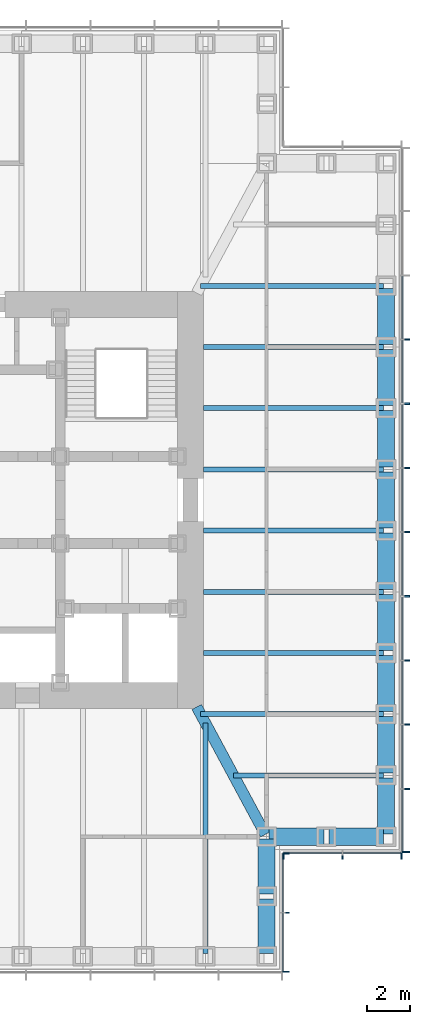
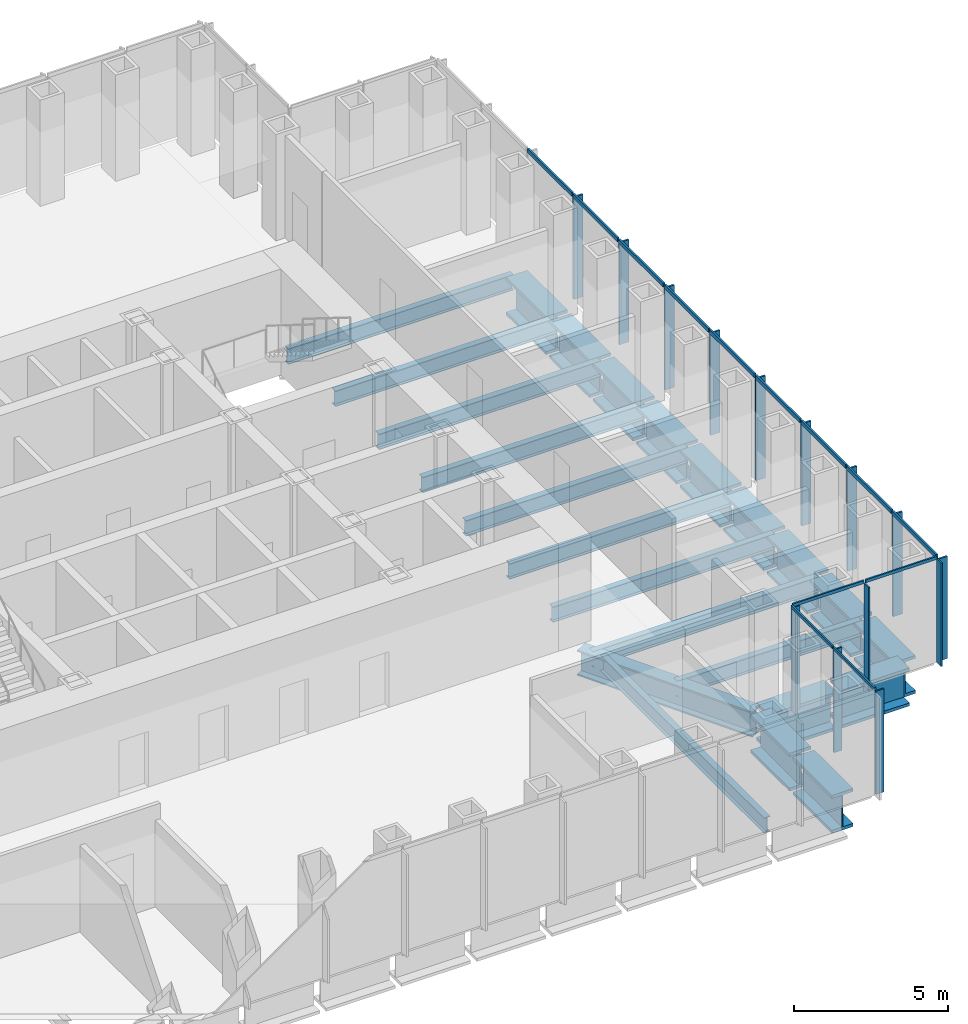
# One storey, part 4 of 16: 28 members, 24 beams, 3 elements without a shape of their own.
"""IFC4 building model written with IfcOpenShell, lengths in metres."""

from ifc_helpers import new_model, si_unit, direction, frame, origin, origin_2d, place, context, subcontext, project, spatial, rectangle, i_section, extrude, material, material_profile, profile_set, type_object, element, aggregate, save


model = new_model("IFC4")

# Units and contexts
model_context = context("Model", 3, precision=1e-05, world=origin(), true_north=direction((0.0, 1.0)))
body_context = subcontext(model_context, "Body", "Model", "MODEL_VIEW")
ifc_project = project(units=[si_unit("LENGTHUNIT", "METRE"), si_unit("AREAUNIT", "SQUARE_METRE"), si_unit("VOLUMEUNIT", "CUBIC_METRE"), si_unit("PLANEANGLEUNIT", "RADIAN"), si_unit("MASSUNIT", "GRAM", prefix="KILO")], contexts=[model_context])

# Site, building, storey
site_placement = place(None, origin())
site = spatial("IfcSite", under=ifc_project, at=site_placement, CompositionType="ELEMENT")
building_placement = place(site_placement, origin())
building = spatial("IfcBuilding", under=site, at=building_placement, Name="Daluyong Arena Tower", CompositionType="ELEMENT")
storey_placement = place(building_placement, frame((0.0, 0.0, 202.300048828125)))
storey = spatial("IfcBuildingStorey", under=building, at=storey_placement, Name="L45", CompositionType="ELEMENT", Elevation=202.300048828125)

# Curtain wall, members
ifc_material_1 = material(Name="Bronze anodised aluminium and glass", Category="aluminium")
curtain_wall_type_1 = type_object("IfcCurtainWallType", Name="Curtain wall CW3", PredefinedType="USERDEFINED", material=ifc_material_1)
curtain_wall_1_placement = place(storey_placement, origin())
curtain_wall_1 = element("IfcCurtainWall", 1, at=curtain_wall_1_placement, inside=storey, type_object=curtain_wall_type_1, Name="curtain wall L45 E", ObjectType="UNITISED CURTAIN WALL", PredefinedType="USERDEFINED")
ifc_material_2 = material(Name="Bronze anodised aluminium fin", Category="aluminium")
ifc_material_profile_1 = material_profile(ifc_material_2, rectangle(XDim=0.35009765625, YDim=0.070068359375, at=origin_2d()))
ifc_profile_set_1 = profile_set([ifc_material_profile_1], Name="Bronze anodised aluminium fin")
member_type_1 = type_object("IfcMemberType", Name="CW3 bronze fin 350x70", PredefinedType="MULLION", material=ifc_profile_set_1)
member_1_placement = place(storey_placement, frame((77.925048828125, 63.784912109375, 0.0), z_axis=(0.0, 0.0, 1.0), x_axis=(-1.0, 0.0, 0.0)))
member_1 = element("IfcMember", 2, at=member_1_placement, type_object=member_type_1, Name="curtain wall L45 E fin 1", PredefinedType="MULLION", context=body_context, shape_type="SweptSolid", body=[
    extrude(rectangle(XDim=0.35009765625, YDim=0.070068359375, at=origin_2d()), origin(), (0.0, 0.0, 1.0), 4.0400390625),
])
member_2_placement = place(storey_placement, frame((77.925048828125, 66.70458984375, 0.0), z_axis=(0.0, 0.0, 1.0), x_axis=(-1.0, 0.0, 0.0)))
member_2 = element("IfcMember", 3, at=member_2_placement, type_object=member_type_1, Name="curtain wall L45 E fin 2", PredefinedType="MULLION", context=body_context, shape_type="SweptSolid", body=[
    extrude(rectangle(XDim=0.35009765625, YDim=0.070068359375, at=origin_2d()), origin(), (0.0, 0.0, 1.0), 4.0400390625),
])
member_3_placement = place(storey_placement, frame((77.925048828125, 69.6591796875, 0.0), z_axis=(0.0, 0.0, 1.0), x_axis=(-1.0, 0.0, 0.0)))
member_3 = element("IfcMember", 4, at=member_3_placement, type_object=member_type_1, Name="curtain wall L45 E fin 3", PredefinedType="MULLION", context=body_context, shape_type="SweptSolid", body=[
    extrude(rectangle(XDim=0.35009765625, YDim=0.070068359375, at=origin_2d()), origin(), (0.0, 0.0, 1.0), 4.0400390625),
])
member_4_placement = place(storey_placement, frame((77.925048828125, 72.613525390625, 0.0), z_axis=(0.0, 0.0, 1.0), x_axis=(-1.0, 0.0, 0.0)))
member_4 = element("IfcMember", 5, at=member_4_placement, type_object=member_type_1, Name="curtain wall L45 E fin 4", PredefinedType="MULLION", context=body_context, shape_type="SweptSolid", body=[
    extrude(rectangle(XDim=0.35009765625, YDim=0.070068359375, at=origin_2d()), origin(), (0.0, 0.0, 1.0), 4.0400390625),
])
member_5_placement = place(storey_placement, frame((77.925048828125, 75.568115234375, 0.0), z_axis=(0.0, 0.0, 1.0), x_axis=(-1.0, 0.0, 0.0)))
member_5 = element("IfcMember", 6, at=member_5_placement, type_object=member_type_1, Name="curtain wall L45 E fin 5", PredefinedType="MULLION", context=body_context, shape_type="SweptSolid", body=[
    extrude(rectangle(XDim=0.35009765625, YDim=0.070068359375, at=origin_2d()), origin(), (0.0, 0.0, 1.0), 4.0400390625),
])
member_6_placement = place(storey_placement, frame((77.925048828125, 78.522705078125, 0.0), z_axis=(0.0, 0.0, 1.0), x_axis=(-1.0, 0.0, 0.0)))
member_6 = element("IfcMember", 7, at=member_6_placement, type_object=member_type_1, Name="curtain wall L45 E fin 6", PredefinedType="MULLION", context=body_context, shape_type="SweptSolid", body=[
    extrude(rectangle(XDim=0.35009765625, YDim=0.070068359375, at=origin_2d()), origin(), (0.0, 0.0, 1.0), 4.0400390625),
])
member_7_placement = place(storey_placement, frame((77.925048828125, 81.477294921875, 0.0), z_axis=(0.0, 0.0, 1.0), x_axis=(-1.0, 0.0, 0.0)))
member_7 = element("IfcMember", 8, at=member_7_placement, type_object=member_type_1, Name="curtain wall L45 E fin 7", PredefinedType="MULLION", context=body_context, shape_type="SweptSolid", body=[
    extrude(rectangle(XDim=0.35009765625, YDim=0.070068359375, at=origin_2d()), origin(), (0.0, 0.0, 1.0), 4.0400390625),
])
member_8_placement = place(storey_placement, frame((77.925048828125, 84.431884765625, 0.0), z_axis=(0.0, 0.0, 1.0), x_axis=(-1.0, 0.0, 0.0)))
member_8 = element("IfcMember", 9, at=member_8_placement, type_object=member_type_1, Name="curtain wall L45 E fin 8", PredefinedType="MULLION", context=body_context, shape_type="SweptSolid", body=[
    extrude(rectangle(XDim=0.35009765625, YDim=0.070068359375, at=origin_2d()), origin(), (0.0, 0.0, 1.0), 4.0400390625),
])
member_9_placement = place(storey_placement, frame((77.925048828125, 87.386474609375, 0.0), z_axis=(0.0, 0.0, 1.0), x_axis=(-1.0, 0.0, 0.0)))
member_9 = element("IfcMember", 10, at=member_9_placement, type_object=member_type_1, Name="curtain wall L45 E fin 9", PredefinedType="MULLION", context=body_context, shape_type="SweptSolid", body=[
    extrude(rectangle(XDim=0.35009765625, YDim=0.070068359375, at=origin_2d()), origin(), (0.0, 0.0, 1.0), 4.0400390625),
])
ifc_material_3 = material(Name="Bronze anodised aluminium", Category="aluminium")
ifc_material_profile_2 = material_profile(ifc_material_3, rectangle(XDim=0.070068359375, YDim=0.159912109375, at=origin_2d()))
ifc_profile_set_2 = profile_set([ifc_material_profile_2], Name="Bronze anodised aluminium")
member_type_2 = type_object("IfcMemberType", Name="CW3 stack transom 160x70", PredefinedType="USERDEFINED", material=ifc_profile_set_2)
member_10_placement = place(storey_placement, frame((77.75, 63.820068359375, 4.119873046875), z_axis=(0.0, 1.0, 0.0), x_axis=(-1.0, 0.0, 0.0)))
member_10 = element("IfcMember", 11, at=member_10_placement, type_object=member_type_2, Name="curtain wall L45 E transom 1", ObjectType="TRANSOM", PredefinedType="USERDEFINED", context=body_context, shape_type="SweptSolid", body=[
    extrude(rectangle(XDim=0.070068359375, YDim=0.159912109375, at=origin_2d()), origin(), (0.0, 0.0, 1.0), 2.849365234375),
])
member_11_placement = place(storey_placement, frame((77.75, 66.739501953125, 4.119873046875), z_axis=(0.0, 1.0, 0.0), x_axis=(-1.0, 0.0, 0.0)))
member_11 = element("IfcMember", 12, at=member_11_placement, type_object=member_type_2, Name="curtain wall L45 E transom 2", ObjectType="TRANSOM", PredefinedType="USERDEFINED", context=body_context, shape_type="SweptSolid", body=[
    extrude(rectangle(XDim=0.070068359375, YDim=0.159912109375, at=origin_2d()), origin(), (0.0, 0.0, 1.0), 2.884521484375),
])
member_12_placement = place(storey_placement, frame((77.75, 69.694091796875, 4.119873046875), z_axis=(0.0, 1.0, 0.0), x_axis=(-1.0, 0.0, 0.0)))
member_12 = element("IfcMember", 13, at=member_12_placement, type_object=member_type_2, Name="curtain wall L45 E transom 3", ObjectType="TRANSOM", PredefinedType="USERDEFINED", context=body_context, shape_type="SweptSolid", body=[
    extrude(rectangle(XDim=0.070068359375, YDim=0.159912109375, at=origin_2d()), origin(), (0.0, 0.0, 1.0), 2.884521484375),
])
member_13_placement = place(storey_placement, frame((77.75, 72.648681640625, 4.119873046875), z_axis=(0.0, 1.0, 0.0), x_axis=(-1.0, 0.0, 0.0)))
member_13 = element("IfcMember", 14, at=member_13_placement, type_object=member_type_2, Name="curtain wall L45 E transom 4", ObjectType="TRANSOM", PredefinedType="USERDEFINED", context=body_context, shape_type="SweptSolid", body=[
    extrude(rectangle(XDim=0.070068359375, YDim=0.159912109375, at=origin_2d()), origin(), (0.0, 0.0, 1.0), 2.884521484375),
])
member_14_placement = place(storey_placement, frame((77.75, 75.603271484375, 4.119873046875), z_axis=(0.0, 1.0, 0.0), x_axis=(-1.0, 0.0, 0.0)))
member_14 = element("IfcMember", 15, at=member_14_placement, type_object=member_type_2, Name="curtain wall L45 E transom 5", ObjectType="TRANSOM", PredefinedType="USERDEFINED", context=body_context, shape_type="SweptSolid", body=[
    extrude(rectangle(XDim=0.070068359375, YDim=0.159912109375, at=origin_2d()), origin(), (0.0, 0.0, 1.0), 2.884521484375),
])
member_15_placement = place(storey_placement, frame((77.75, 78.5576171875, 4.119873046875), z_axis=(0.0, 1.0, 0.0), x_axis=(-1.0, 0.0, 0.0)))
member_15 = element("IfcMember", 16, at=member_15_placement, type_object=member_type_2, Name="curtain wall L45 E transom 6", ObjectType="TRANSOM", PredefinedType="USERDEFINED", context=body_context, shape_type="SweptSolid", body=[
    extrude(rectangle(XDim=0.070068359375, YDim=0.159912109375, at=origin_2d()), origin(), (0.0, 0.0, 1.0), 2.884765625),
])
member_16_placement = place(storey_placement, frame((77.75, 81.51220703125, 4.119873046875), z_axis=(0.0, 1.0, 0.0), x_axis=(-1.0, 0.0, 0.0)))
member_16 = element("IfcMember", 17, at=member_16_placement, type_object=member_type_2, Name="curtain wall L45 E transom 7", ObjectType="TRANSOM", PredefinedType="USERDEFINED", context=body_context, shape_type="SweptSolid", body=[
    extrude(rectangle(XDim=0.070068359375, YDim=0.159912109375, at=origin_2d()), origin(), (0.0, 0.0, 1.0), 2.884521484375),
])
member_17_placement = place(storey_placement, frame((77.75, 84.466796875, 4.119873046875), z_axis=(0.0, 1.0, 0.0), x_axis=(-1.0, 0.0, 0.0)))
member_17 = element("IfcMember", 18, at=member_17_placement, type_object=member_type_2, Name="curtain wall L45 E transom 8", ObjectType="TRANSOM", PredefinedType="USERDEFINED", context=body_context, shape_type="SweptSolid", body=[
    extrude(rectangle(XDim=0.070068359375, YDim=0.159912109375, at=origin_2d()), origin(), (0.0, 0.0, 1.0), 2.884521484375),
])
member_18_placement = place(storey_placement, frame((77.75, 87.42138671875, 4.119873046875), z_axis=(0.0, 1.0, 0.0), x_axis=(-1.0, 0.0, 0.0)))
member_18 = element("IfcMember", 19, at=member_18_placement, type_object=member_type_2, Name="curtain wall L45 E transom 9", ObjectType="TRANSOM", PredefinedType="USERDEFINED", context=body_context, shape_type="SweptSolid", body=[
    extrude(rectangle(XDim=0.070068359375, YDim=0.159912109375, at=origin_2d()), origin(), (0.0, 0.0, 1.0), 2.884521484375),
])
aggregate(curtain_wall_1, [member_1, member_2, member_3, member_4, member_5, member_6, member_7, member_8, member_9, member_10, member_11, member_12, member_13, member_14, member_15, member_16, member_17, member_18])

ifc_material_4 = material(Name="Bronze anodised aluminium and glass", Category="aluminium")
curtain_wall_type_2 = type_object("IfcCurtainWallType", Name="Curtain wall CW7", PredefinedType="USERDEFINED", material=ifc_material_4)
curtain_wall_2_placement = place(storey_placement, origin())
curtain_wall_2 = element("IfcCurtainWall", 20, at=curtain_wall_2_placement, inside=storey, type_object=curtain_wall_type_2, Name="curtain wall L45 SE-E", ObjectType="UNITISED CURTAIN WALL", PredefinedType="USERDEFINED")
ifc_material_5 = material(Name="Bronze anodised aluminium fin", Category="aluminium")
ifc_material_profile_3 = material_profile(ifc_material_5, rectangle(XDim=0.300048828125, YDim=0.06005859375, at=origin_2d()))
ifc_profile_set_3 = profile_set([ifc_material_profile_3], Name="Bronze anodised aluminium fin")
member_type_3 = type_object("IfcMemberType", Name="CW7 bronze fin 300x60", PredefinedType="MULLION", material=ifc_profile_set_3)
member_19_placement = place(storey_placement, frame((72.39990234375, 58.280029296875, 0.0), z_axis=(0.0, 0.0, 1.0), x_axis=(-1.0, 0.0, 0.0)))
member_19 = element("IfcMember", 21, at=member_19_placement, type_object=member_type_3, Name="curtain wall L45 SE-E fin 1", PredefinedType="MULLION", context=body_context, shape_type="SweptSolid", body=[
    extrude(rectangle(XDim=0.300048828125, YDim=0.06005859375, at=origin_2d()), origin(), (0.0, 0.0, 1.0), 4.079833984375),
])
member_20_placement = place(storey_placement, frame((72.39990234375, 61.0, 0.0), z_axis=(0.0, 0.0, 1.0), x_axis=(-1.0, 0.0, 0.0)))
member_20 = element("IfcMember", 22, at=member_20_placement, type_object=member_type_3, Name="curtain wall L45 SE-E fin 2", PredefinedType="MULLION", context=body_context, shape_type="SweptSolid", body=[
    extrude(rectangle(XDim=0.300048828125, YDim=0.06005859375, at=origin_2d()), origin(), (0.0, 0.0, 1.0), 4.079833984375),
])
member_21_placement = place(storey_placement, frame((72.39990234375, 63.719970703125, 0.0), z_axis=(0.0, 0.0, 1.0), x_axis=(-1.0, 0.0, 0.0)))
member_21 = element("IfcMember", 23, at=member_21_placement, type_object=member_type_3, Name="curtain wall L45 SE-E fin 3", PredefinedType="MULLION", context=body_context, shape_type="SweptSolid", body=[
    extrude(rectangle(XDim=0.300048828125, YDim=0.06005859375, at=origin_2d()), origin(), (0.0, 0.0, 1.0), 4.079833984375),
])

curtain_wall_3_placement = place(storey_placement, origin())
curtain_wall_3 = element("IfcCurtainWall", 24, at=curtain_wall_3_placement, inside=storey, type_object=curtain_wall_type_2, Name="curtain wall L45 SE-S", ObjectType="UNITISED CURTAIN WALL", PredefinedType="USERDEFINED")
member_22_placement = place(storey_placement, frame((72.280029296875, 63.60009765625, 0.0), z_axis=(0.0, 0.0, 1.0), x_axis=(0.0, 1.0, 0.0)))
member_22 = element("IfcMember", 25, at=member_22_placement, type_object=member_type_3, Name="curtain wall L45 SE-S fin 1", PredefinedType="MULLION", context=body_context, shape_type="SweptSolid", body=[
    extrude(rectangle(XDim=0.300048828125, YDim=0.06005859375, at=origin_2d()), origin(), (0.0, 0.0, 1.0), 4.079833984375),
])
member_23_placement = place(storey_placement, frame((75.0, 63.60009765625, 0.0), z_axis=(0.0, 0.0, 1.0), x_axis=(0.0, 1.0, 0.0)))
member_23 = element("IfcMember", 26, at=member_23_placement, type_object=member_type_3, Name="curtain wall L45 SE-S fin 2", PredefinedType="MULLION", context=body_context, shape_type="SweptSolid", body=[
    extrude(rectangle(XDim=0.300048828125, YDim=0.06005859375, at=origin_2d()), origin(), (0.0, 0.0, 1.0), 4.079833984375),
])
member_24_placement = place(storey_placement, frame((77.719970703125, 63.60009765625, 0.0), z_axis=(0.0, 0.0, 1.0), x_axis=(0.0, 1.0, 0.0)))
member_24 = element("IfcMember", 27, at=member_24_placement, type_object=member_type_3, Name="curtain wall L45 SE-S fin 3", PredefinedType="MULLION", context=body_context, shape_type="SweptSolid", body=[
    extrude(rectangle(XDim=0.300048828125, YDim=0.06005859375, at=origin_2d()), origin(), (0.0, 0.0, 1.0), 4.079833984375),
])

# Member
ifc_material_6 = material(Name="Bronze anodised aluminium", Category="aluminium")
ifc_material_profile_4 = material_profile(ifc_material_6, rectangle(XDim=0.06005859375, YDim=0.1201171875, at=origin_2d()))
ifc_profile_set_4 = profile_set([ifc_material_profile_4], Name="Bronze anodised aluminium")
member_type_4 = type_object("IfcMemberType", Name="CW7 stack transom 120x60", PredefinedType="USERDEFINED", material=ifc_profile_set_4)
member_25_placement = place(storey_placement, frame((72.25, 58.31005859375, 4.139892578125), z_axis=(0.0, 1.0, 0.0), x_axis=(-1.0, 0.0, 0.0)))
member_25 = element("IfcMember", 28, at=member_25_placement, type_object=member_type_4, Name="curtain wall L45 SE-E transom 1", ObjectType="TRANSOM", PredefinedType="USERDEFINED", context=body_context, shape_type="SweptSolid", body=[
    extrude(rectangle(XDim=0.06005859375, YDim=0.1201171875, at=origin_2d()), origin(), (0.0, 0.0, 1.0), 2.659912109375),
])

member_26_placement = place(storey_placement, frame((72.25, 61.030029296875, 4.139892578125), z_axis=(0.0, 1.0, 0.0), x_axis=(-1.0, 0.0, 0.0)))
member_26 = element("IfcMember", 29, at=member_26_placement, type_object=member_type_4, Name="curtain wall L45 SE-E transom 2", ObjectType="TRANSOM", PredefinedType="USERDEFINED", context=body_context, shape_type="SweptSolid", body=[
    extrude(rectangle(XDim=0.06005859375, YDim=0.1201171875, at=origin_2d()), origin(), (0.0, 0.0, 1.0), 2.659912109375),
])

aggregate(curtain_wall_2, [member_19, member_20, member_21, member_25, member_26])

member_27_placement = place(storey_placement, frame((72.31005859375, 63.75, 4.139892578125), z_axis=(1.0, 0.0, 0.0), x_axis=(0.0, 1.0, 0.0)))
member_27 = element("IfcMember", 30, at=member_27_placement, type_object=member_type_4, Name="curtain wall L45 SE-S transom 1", ObjectType="TRANSOM", PredefinedType="USERDEFINED", context=body_context, shape_type="SweptSolid", body=[
    extrude(rectangle(XDim=0.06005859375, YDim=0.1201171875, at=origin_2d()), origin(), (0.0, 0.0, 1.0), 2.659912109375),
])

member_28_placement = place(storey_placement, frame((75.030029296875, 63.75, 4.139892578125), z_axis=(1.0, 0.0, 0.0), x_axis=(0.0, 1.0, 0.0)))
member_28 = element("IfcMember", 31, at=member_28_placement, type_object=member_type_4, Name="curtain wall L45 SE-S transom 2", ObjectType="TRANSOM", PredefinedType="USERDEFINED", context=body_context, shape_type="SweptSolid", body=[
    extrude(rectangle(XDim=0.06005859375, YDim=0.1201171875, at=origin_2d()), origin(), (0.0, 0.0, 1.0), 2.659912109375),
])

aggregate(curtain_wall_3, [member_22, member_23, member_24, member_27, member_28])

# Beams
ifc_material_7 = material(Name="Steel ASTM A572 Grade 50", Category="steel")
ifc_material_profile_5 = material_profile(ifc_material_7, i_section(OverallWidth=0.5, OverallDepth=1.0, WebThickness=0.03, FlangeThickness=0.06, at=origin_2d()))
ifc_profile_set_5 = profile_set([ifc_material_profile_5], Name="Steel ASTM A572 Grade 50")
beam_type_1 = type_object("IfcBeamType", Name="Corner girder TB1000X500", PredefinedType="BEAM", material=ifc_profile_set_5)
beam_1_placement = place(storey_placement, frame((71.445556640625, 64.601318359375, -0.66015625), z_axis=(-0.474119475266, 0.880460517669, 0.0), x_axis=(-0.880460517669, -0.474119475266, 0.0)))
element("IfcBeam", 32, at=beam_1_placement, inside=storey, type_object=beam_type_1, Name="corner girder DG2", PredefinedType="BEAM", context=body_context, shape_type="SweptSolid", body=[
    extrude(i_section(OverallWidth=0.5, OverallDepth=1.0, WebThickness=0.03, FlangeThickness=0.06, at=origin_2d()), origin(), (0.0, 0.0, 1.0), 6.66748046875),
])
ifc_material_8 = material(Name="Steel ASTM A992 Grade 50", Category="steel")
ifc_material_profile_6 = material_profile(ifc_material_8, i_section(OverallWidth=0.22900390625, OverallDepth=0.612060546875, WebThickness=0.011962890625, FlangeThickness=0.01953125, at=origin_2d()))
ifc_profile_set_6 = profile_set([ifc_material_profile_6], Name="Steel ASTM A992 Grade 50")
beam_type_2 = type_object("IfcBeamType", Name="Floor beam W24X84", PredefinedType="BEAM", material=ifc_profile_set_6)
beam_2_placement = place(storey_placement, frame((68.681884765625, 59.114990234375, -0.466064453125), z_axis=(0.0, 1.0, 0.0), x_axis=(-1.0, 0.0, 0.0)))
element("IfcBeam", 33, at=beam_2_placement, inside=storey, type_object=beam_type_2, Name="floor beam FB3", PredefinedType="BEAM", context=body_context, shape_type="SweptSolid", body=[
    extrude(i_section(OverallWidth=0.22900390625, OverallDepth=0.612060546875, WebThickness=0.011962890625, FlangeThickness=0.01953125, at=origin_2d()), origin(), (0.0, 0.0, 1.0), 10.618896484375),
])
beam_3_placement = place(storey_placement, frame((76.885009765625, 67.318115234375, -0.466064453125), z_axis=(-1.0, 0.0, 0.0), x_axis=(0.0, -1.0, 0.0)))
element("IfcBeam", 34, at=beam_3_placement, inside=storey, type_object=beam_type_2, Name="floor beam FB3", PredefinedType="BEAM", context=body_context, shape_type="SweptSolid", body=[
    extrude(i_section(OverallWidth=0.22900390625, OverallDepth=0.612060546875, WebThickness=0.011962890625, FlangeThickness=0.01953125, at=origin_2d()), origin(), (0.0, 0.0, 1.0), 6.902587890625),
])
beam_4_placement = place(storey_placement, frame((76.885009765625, 70.136474609375, -0.466064453125), z_axis=(-1.0, 0.0, 0.0), x_axis=(0.0, -1.0, 0.0)))
element("IfcBeam", 35, at=beam_4_placement, inside=storey, type_object=beam_type_2, Name="floor beam FB3", PredefinedType="BEAM", context=body_context, shape_type="SweptSolid", body=[
    extrude(i_section(OverallWidth=0.22900390625, OverallDepth=0.612060546875, WebThickness=0.011962890625, FlangeThickness=0.01953125, at=origin_2d()), origin(), (0.0, 0.0, 1.0), 8.419921875),
])
for number, where, z_axis, x_axis, name in (
    (36, (76.885009765625, 72.95458984375, -0.466064453125), (-1.0, 0.0, 0.0), (0.0, -1.0, 0.0), "floor beam FB3"),
    (37, (76.885009765625, 75.772705078125, -0.466064453125), (-1.0, 0.0, 0.0), (0.0, -1.0, 0.0), "floor beam FB3"),
    (38, (76.885009765625, 78.5908203125, -0.466064453125), (-1.0, 0.0, 0.0), (0.0, -1.0, 0.0), "floor beam FB3"),
    (39, (76.885009765625, 81.4091796875, -0.466064453125), (-1.0, 0.0, 0.0), (0.0, -1.0, 0.0), "floor beam FB3"),
    (40, (76.885009765625, 84.227294921875, -0.466064453125), (-1.0, 0.0, 0.0), (0.0, -1.0, 0.0), "floor beam FB3"),
    (41, (76.885009765625, 87.04541015625, -0.466064453125), (-1.0, 0.0, 0.0), (0.0, -1.0, 0.0), "floor beam FB3"),
):
    element("IfcBeam", number, at=place(storey_placement, frame(where, z_axis=z_axis, x_axis=x_axis)), inside=storey, type_object=beam_type_2, Name=name, PredefinedType="BEAM", context=body_context, shape_type="SweptSolid", body=[
        extrude(i_section(OverallWidth=0.22900390625, OverallDepth=0.612060546875, WebThickness=0.011962890625, FlangeThickness=0.01953125, at=origin_2d()), origin(), (0.0, 0.0, 1.0), 8.284912109375),
    ])
beam_5_placement = place(storey_placement, frame((76.885009765625, 89.863525390625, -0.466064453125), z_axis=(-1.0, 0.0, 0.0), x_axis=(0.0, -1.0, 0.0)))
element("IfcBeam", 42, at=beam_5_placement, inside=storey, type_object=beam_type_2, Name="floor beam FB3", PredefinedType="BEAM", context=body_context, shape_type="SweptSolid", body=[
    extrude(i_section(OverallWidth=0.22900390625, OverallDepth=0.612060546875, WebThickness=0.011962890625, FlangeThickness=0.01953125, at=origin_2d()), origin(), (0.0, 0.0, 1.0), 8.419921875),
])
ifc_material_9 = material(Name="Steel ASTM A588 Grade 50", Category="steel")
ifc_material_profile_7 = material_profile(ifc_material_9, i_section(OverallWidth=0.800048828125, OverallDepth=1.5, WebThickness=0.05, FlangeThickness=0.12, at=origin_2d()))
ifc_profile_set_7 = profile_set([ifc_material_profile_7], Name="Steel ASTM A588 Grade 50")
beam_type_3 = type_object("IfcBeamType", Name="Spandrel Z3 PG1500X800", PredefinedType="SPANDREL", material=ifc_profile_set_7)
for number, where, z_axis, x_axis, name in (
    (43, (71.5, 59.114990234375, -0.91015625), (0.0, 1.0, 0.0), (-1.0, 0.0, 0.0), "spandrel z3 SB7"),
    (44, (71.5, 61.864990234375, -0.91015625), (0.0, 1.0, 0.0), (-1.0, 0.0, 0.0), "spandrel z3 SB7"),
    (45, (71.614990234375, 64.5, -0.91015625), (1.0, 0.0, 0.0), (0.0, 1.0, 0.0), "spandrel z3 SB7"),
    (46, (74.364990234375, 64.5, -0.91015625), (1.0, 0.0, 0.0), (0.0, 1.0, 0.0), "spandrel z3 SB7"),
):
    element("IfcBeam", number, at=place(storey_placement, frame(where, z_axis=z_axis, x_axis=x_axis)), inside=storey, type_object=beam_type_3, Name=name, PredefinedType="SPANDREL", context=body_context, shape_type="SweptSolid", body=[
        extrude(i_section(OverallWidth=0.800048828125, OverallDepth=1.5, WebThickness=0.05, FlangeThickness=0.12, at=origin_2d()), origin(), (0.0, 0.0, 1.0), 2.52001953125),
    ])
beam_6_placement = place(storey_placement, frame((77.0, 64.614990234375, -0.91015625), z_axis=(0.0, 1.0, 0.0), x_axis=(-1.0, 0.0, 0.0)))
element("IfcBeam", 47, at=beam_6_placement, inside=storey, type_object=beam_type_3, Name="spandrel z3 SB7", PredefinedType="SPANDREL", context=body_context, shape_type="SweptSolid", body=[
    extrude(i_section(OverallWidth=0.800048828125, OverallDepth=1.5, WebThickness=0.05, FlangeThickness=0.12, at=origin_2d()), origin(), (0.0, 0.0, 1.0), 2.588134765625),
])
beam_7_placement = place(storey_placement, frame((77.0, 67.43310546875, -0.91015625), z_axis=(0.0, 1.0, 0.0), x_axis=(-1.0, 0.0, 0.0)))
element("IfcBeam", 48, at=beam_7_placement, inside=storey, type_object=beam_type_3, Name="spandrel z3 SB7", PredefinedType="SPANDREL", context=body_context, shape_type="SweptSolid", body=[
    extrude(i_section(OverallWidth=0.800048828125, OverallDepth=1.5, WebThickness=0.05, FlangeThickness=0.12, at=origin_2d()), origin(), (0.0, 0.0, 1.0), 2.58837890625),
])
for number, where, z_axis, x_axis, name in (
    (49, (77.0, 70.25146484375, -0.91015625), (0.0, 1.0, 0.0), (-1.0, 0.0, 0.0), "spandrel z3 SB7"),
    (50, (77.0, 73.069580078125, -0.91015625), (0.0, 1.0, 0.0), (-1.0, 0.0, 0.0), "spandrel z3 SB7"),
    (51, (77.0, 75.8876953125, -0.91015625), (0.0, 1.0, 0.0), (-1.0, 0.0, 0.0), "spandrel z3 SB7"),
):
    element("IfcBeam", number, at=place(storey_placement, frame(where, z_axis=z_axis, x_axis=x_axis)), inside=storey, type_object=beam_type_3, Name=name, PredefinedType="SPANDREL", context=body_context, shape_type="SweptSolid", body=[
        extrude(i_section(OverallWidth=0.800048828125, OverallDepth=1.5, WebThickness=0.05, FlangeThickness=0.12, at=origin_2d()), origin(), (0.0, 0.0, 1.0), 2.588134765625),
    ])
beam_8_placement = place(storey_placement, frame((77.0, 78.705810546875, -0.91015625), z_axis=(0.0, 1.0, 0.0), x_axis=(-1.0, 0.0, 0.0)))
element("IfcBeam", 52, at=beam_8_placement, inside=storey, type_object=beam_type_3, Name="spandrel z3 SB7", PredefinedType="SPANDREL", context=body_context, shape_type="SweptSolid", body=[
    extrude(i_section(OverallWidth=0.800048828125, OverallDepth=1.5, WebThickness=0.05, FlangeThickness=0.12, at=origin_2d()), origin(), (0.0, 0.0, 1.0), 2.58837890625),
])
for number, where, z_axis, x_axis, name in (
    (53, (77.0, 81.524169921875, -0.91015625), (0.0, 1.0, 0.0), (-1.0, 0.0, 0.0), "spandrel z3 SB7"),
    (54, (77.0, 84.34228515625, -0.91015625), (0.0, 1.0, 0.0), (-1.0, 0.0, 0.0), "spandrel z3 SB7"),
    (55, (77.0, 87.160400390625, -0.91015625), (0.0, 1.0, 0.0), (-1.0, 0.0, 0.0), "spandrel z3 SB7"),
):
    element("IfcBeam", number, at=place(storey_placement, frame(where, z_axis=z_axis, x_axis=x_axis)), inside=storey, type_object=beam_type_3, Name=name, PredefinedType="SPANDREL", context=body_context, shape_type="SweptSolid", body=[
        extrude(i_section(OverallWidth=0.800048828125, OverallDepth=1.5, WebThickness=0.05, FlangeThickness=0.12, at=origin_2d()), origin(), (0.0, 0.0, 1.0), 2.588134765625),
    ])

save(model, "model.ifc")
